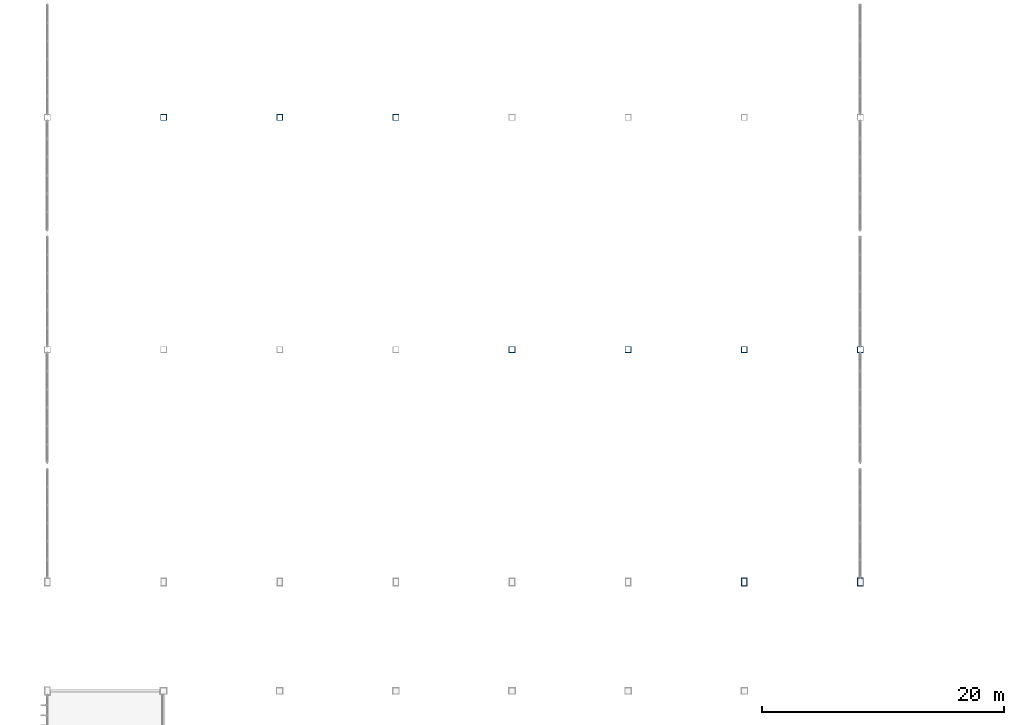
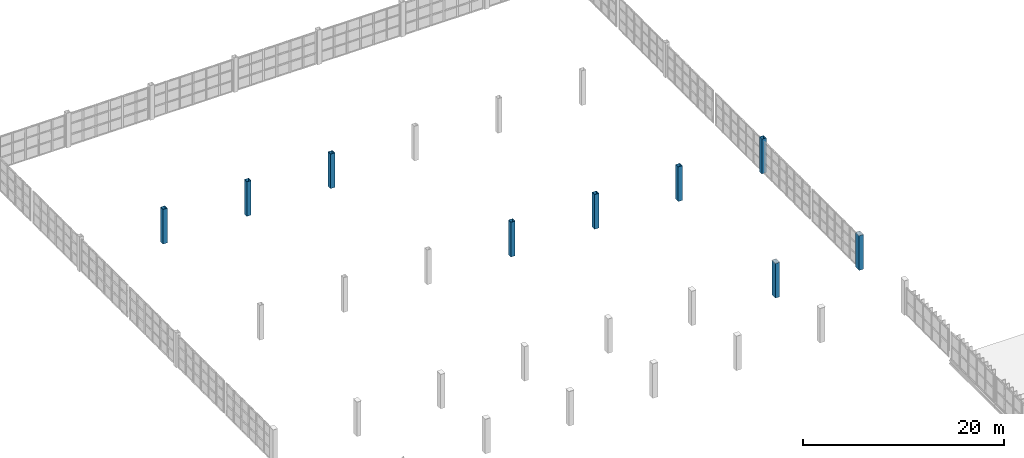
# One storey, part 9 of 82: 9 columns.
"""IFC4 building model written with IfcOpenShell, lengths in metres."""

from ifc_helpers import new_model, si_unit, direction, frame, origin, origin_2d, place, context, subcontext, project, spatial, hollow_rectangle, extrude, material, material_profile, profile_set, type_object, element, save


model = new_model("IFC4")

# Units and contexts
model_context = context("Model", 3, precision=1e-05, world=origin(), true_north=direction((0.0, 1.0)))
body_context = subcontext(model_context, "Body", "Model", "MODEL_VIEW")
ifc_project = project(units=[si_unit("LENGTHUNIT", "METRE"), si_unit("AREAUNIT", "SQUARE_METRE"), si_unit("VOLUMEUNIT", "CUBIC_METRE"), si_unit("PLANEANGLEUNIT", "RADIAN"), si_unit("MASSUNIT", "GRAM", prefix="KILO")], contexts=[model_context])

# Site, building, storey
site_placement = place(None, origin())
site = spatial("IfcSite", under=ifc_project, at=site_placement, CompositionType="ELEMENT")
building_placement = place(site_placement, origin())
building = spatial("IfcBuilding", under=site, at=building_placement, Name="Zarnetskaya Central Station", CompositionType="ELEMENT")
storey_placement = place(building_placement, frame((0.0, 0.0, 10.199951171875)))
storey = spatial("IfcBuildingStorey", under=building, at=storey_placement, Name="L02", CompositionType="ELEMENT", Elevation=10.199951171875)

# Columns
ifc_material = material(Name="Steel S355", Category="steel")
ifc_material_profile_1 = material_profile(ifc_material, hollow_rectangle(XDim=0.5, YDim=0.5, WallThickness=0.02490234375, at=origin_2d()), Name="BOX 500x500x25")
ifc_profile_set_1 = profile_set([ifc_material_profile_1], Name="Steel S355")
column_type_1 = type_object("IfcColumnType", Name="COL-V1-SHED", PredefinedType="COLUMN", material=ifc_profile_set_1)
for number, where, z_axis, x_axis, name in (
    (1, (67.199951171875, 105.60009765625, 0.0), (0.0, 0.0, 1.0), (1.0, 0.0, 0.0), "Column H13 L02"),
    (2, (76.800048828125, 105.60009765625, 0.0), (0.0, 0.0, 1.0), (1.0, 0.0, 0.0), "Column J13 L02"),
    (3, (86.39990234375, 105.60009765625, 0.0), (0.0, 0.0, 1.0), (1.0, 0.0, 0.0), "Column K13 L02"),
    (4, (96.0, 86.39990234375, 0.0), (0.0, 0.0, 1.0), (1.0, 0.0, 0.0), "Column L11 L02"),
    (5, (105.60009765625, 86.39990234375, 0.0), (0.0, 0.0, 1.0), (1.0, 0.0, 0.0), "Column M11 L02"),
    (6, (115.199951171875, 86.39990234375, 0.0), (0.0, 0.0, 1.0), (1.0, 0.0, 0.0), "Column N11 L02"),
    (7, (124.800048828125, 86.39990234375, 0.0), (0.0, 0.0, 1.0), (1.0, 0.0, 0.0), "Column P11 L02"),
):
    element("IfcColumn", number, at=place(storey_placement, frame(where, z_axis=z_axis, x_axis=x_axis)), inside=storey, type_object=column_type_1, Name=name, PredefinedType="COLUMN", context=body_context, shape_type="SweptSolid", body=[
        extrude(hollow_rectangle(XDim=0.5, YDim=0.5, WallThickness=0.02490234375, at=origin_2d()), origin(), (0.0, 0.0, 1.0), 4.199951171875),
    ])
ifc_material_profile_2 = material_profile(ifc_material, hollow_rectangle(XDim=0.5, YDim=0.699951171875, WallThickness=0.031982421875, at=origin_2d()), Name="BOX 700x500x32")
ifc_profile_set_2 = profile_set([ifc_material_profile_2], Name="Steel S355")
column_type_2 = type_object("IfcColumnType", Name="COL-V2-HALL", PredefinedType="COLUMN", material=ifc_profile_set_2)
for number, where, z_axis, x_axis, name in (
    (8, (115.199951171875, 67.199951171875, 0.0), (0.0, 0.0, 1.0), (1.0, 0.0, 0.0), "Column N9 L02"),
    (9, (124.800048828125, 67.199951171875, 0.0), (0.0, 0.0, 1.0), (1.0, 0.0, 0.0), "Column P9 L02"),
):
    element("IfcColumn", number, at=place(storey_placement, frame(where, z_axis=z_axis, x_axis=x_axis)), inside=storey, type_object=column_type_2, Name=name, PredefinedType="COLUMN", context=body_context, shape_type="SweptSolid", body=[
        extrude(hollow_rectangle(XDim=0.5, YDim=0.699951171875, WallThickness=0.031982421875, at=origin_2d()), origin(), (0.0, 0.0, 1.0), 4.18798828125),
    ])

save(model, "model.ifc")
